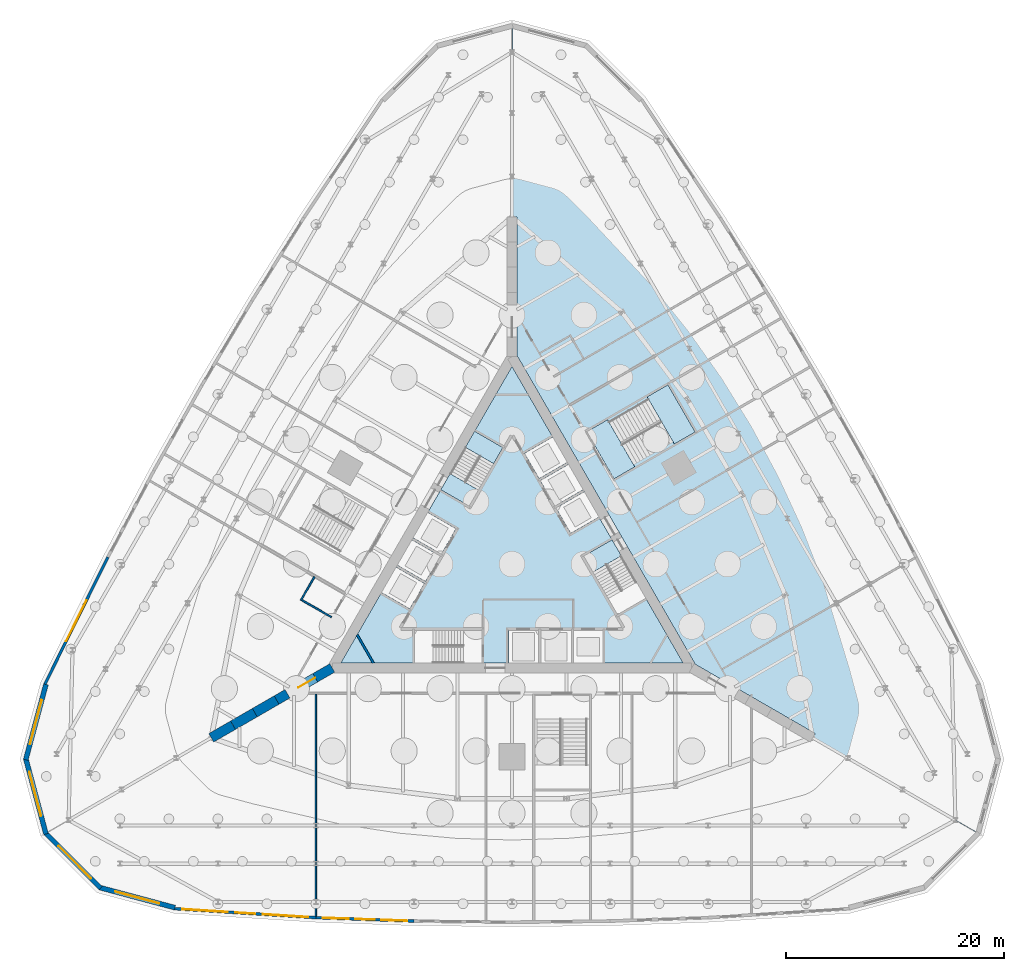
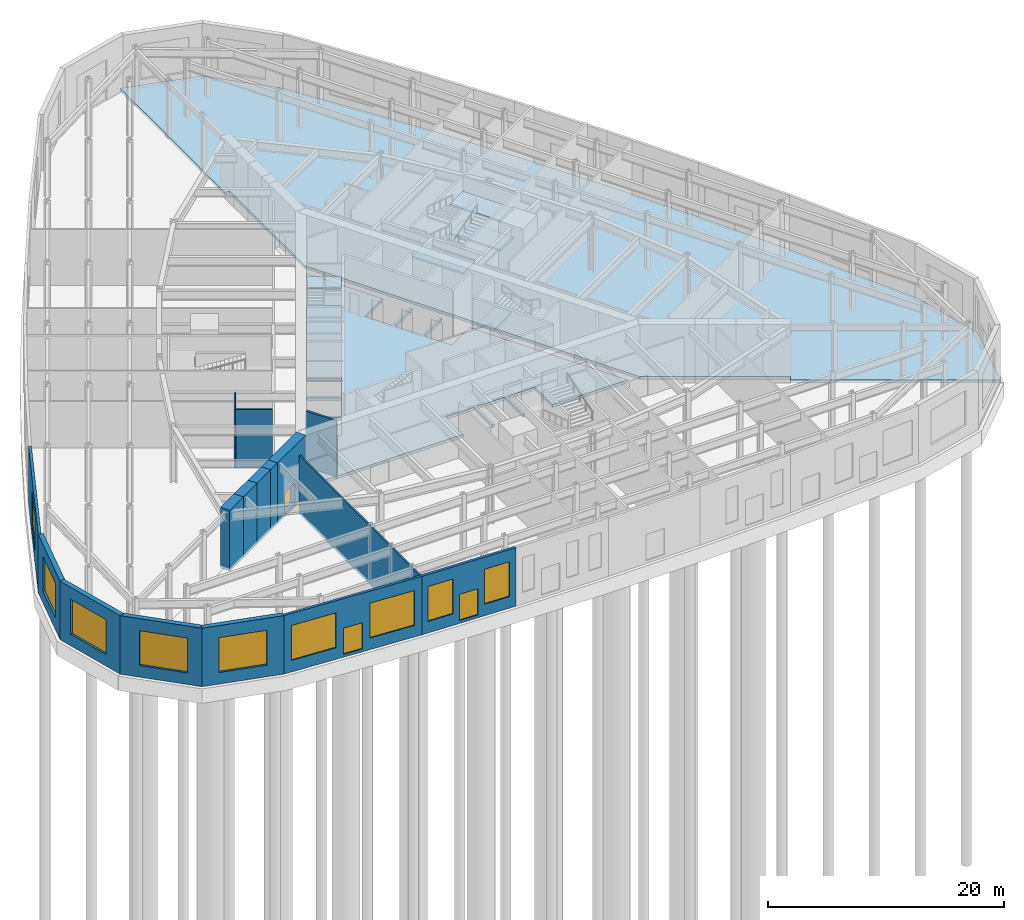
# One storey, part 9 of 17: 16 walls, 9 slabs, 9 windows, 3 doors, 12 openings, 3 elements without a shape of their own.
"""IFC4 building model written with IfcOpenShell, lengths in metres."""

import ifcopenshell
import ifcopenshell.guid

model = None  # the IFC model being written
_history = None  # IfcOwnerHistory: only IFC2X3 demands one
_inside = {}  # id of a spatial element -> (the spatial element, [elements in it])
_under = {}  # id of a project, library or spatial element -> (it, [spatial elements below it])
_declared = {}  # id of a project -> (the project, [libraries it declares])
_typed = {}  # id of a type object -> (the type object, [elements of that type])
_made_of = {}  # id of a material, layer set ... -> (it, [elements and type objects made of it])


def new_model(schema):
    """Start an empty IFC model of exactly this schema.

    Asked for "IFC4X3", IfcOpenShell would pick the latest addendum, in which some entities
    have other attributes; the version numbers below select the first issue.
    IFC2X3 requires an IfcOwnerHistory on every rooted entity: one is made here for all.
    """
    global model, _history
    if schema == "IFC4X3":
        model = ifcopenshell.file(schema_version=(4, 3, 0, 0))
    else:
        model = ifcopenshell.file(schema=schema)
    _inside.clear()
    _under.clear()
    _declared.clear()
    _typed.clear()
    _made_of.clear()
    _history = None
    if model.schema == "IFC2X3":
        org = make("IfcOrganization", Name="unknown")
        user = make(
            "IfcPersonAndOrganization",
            ThePerson=make("IfcPerson", FamilyName="unknown"),
            TheOrganization=org,
        )
        app = make(
            "IfcApplication",
            ApplicationDeveloper=org,
            Version="unknown",
            ApplicationFullName="unknown",
            ApplicationIdentifier="unknown",
        )
        _history = make(
            "IfcOwnerHistory",
            OwningUser=user,
            OwningApplication=app,
            ChangeAction="ADDED",
            CreationDate=0,
        )
    return model


def make(cls, **values):
    """One entity of the class cls with the attributes given. An attribute that is None is left unset."""
    return model.create_entity(
        cls, **{name: value for name, value in values.items() if value is not None}
    )


def rooted(cls, **values):
    """An entity with a GlobalId (a new one), such as an element, a storey or a relation."""
    return make(cls, GlobalId=ifcopenshell.guid.new(), OwnerHistory=_history, **values)


def si_unit(unit_type, name, prefix=None):
    """IfcSIUnit, for example si_unit("LENGTHUNIT", "METRE", prefix="MILLI")."""
    return make("IfcSIUnit", UnitType=unit_type, Prefix=prefix, Name=name)


def assignment(units):
    """IfcUnitAssignment: the units of a project."""
    return None if units is None else make("IfcUnitAssignment", Units=units)


def point(xyz):
    """IfcCartesianPoint."""
    return None if xyz is None else make("IfcCartesianPoint", Coordinates=xyz)


def direction(xyz):
    """IfcDirection."""
    return None if xyz is None else make("IfcDirection", DirectionRatios=xyz)


def frame(location, z_axis=None, x_axis=None):
    """IfcAxis2Placement3D, a coordinate frame: its origin and axes. An axis left out is left unset."""
    return make(
        "IfcAxis2Placement3D",
        Location=point(location),
        Axis=direction(z_axis),
        RefDirection=direction(x_axis),
    )


def frame_2d(location, x_axis=None):
    """IfcAxis2Placement2D, a coordinate frame in the plane: its origin and x axis."""
    return make(
        "IfcAxis2Placement2D", Location=point(location), RefDirection=direction(x_axis)
    )


def origin():
    """The frame at (0, 0, 0) with its axes left unset."""
    return frame((0.0, 0.0, 0.0))


def place(relative_to, where):
    """IfcLocalPlacement: puts the frame where relative to a parent placement (None: the world)."""
    return make(
        "IfcLocalPlacement", PlacementRelTo=relative_to, RelativePlacement=where
    )


def context(
    kind, dimensions, precision=None, world=None, true_north=None, identifier=None
):
    """IfcGeometricRepresentationContext, for example the 3D "Model" context."""
    return make(
        "IfcGeometricRepresentationContext",
        ContextIdentifier=identifier,
        ContextType=kind,
        CoordinateSpaceDimension=dimensions,
        Precision=precision,
        WorldCoordinateSystem=world,
        TrueNorth=true_north,
    )


def subcontext(parent, identifier, kind, view, scale=None):
    """IfcGeometricRepresentationSubContext, for example "Body" below "Model"."""
    return make(
        "IfcGeometricRepresentationSubContext",
        ContextIdentifier=identifier,
        ContextType=kind,
        ParentContext=parent,
        TargetScale=scale,
        TargetView=view,
    )


def project(units=None, contexts=None):
    """IfcProject with its units and contexts."""
    return rooted(
        "IfcProject",
        Name="project",
        RepresentationContexts=contexts,
        UnitsInContext=assignment(units),
    )


def spatial(cls, under=None, at=None, **own):
    """A site, building, storey or space (cls), placed at a placement, below another one or the project."""
    s = rooted(cls, ObjectPlacement=at, **own)
    if under is not None:
        _under.setdefault(under.id(), (under, []))[1].append(s)
    return s


def polyline(points):
    """IfcPolyline through the points."""
    return make("IfcPolyline", Points=[point(p) for p in points])


def profile(cls, at=None, kind="AREA", **sizes):
    """A parametric profile (cls). Its sizes go by their IFC names, for example OverallWidth=200.0."""
    return make(cls, ProfileType=kind, Position=at, **sizes)


def rectangle(**sizes):
    """IfcRectangleProfileDef."""
    return profile("IfcRectangleProfileDef", **sizes)


def outline(outer, holes=None, kind="AREA"):
    """IfcArbitraryClosedProfileDef: a profile drawn as a closed curve; with holes, ...WithVoids."""
    if holes is None:
        return make("IfcArbitraryClosedProfileDef", ProfileType=kind, OuterCurve=outer)
    return make(
        "IfcArbitraryProfileDefWithVoids",
        ProfileType=kind,
        OuterCurve=outer,
        InnerCurves=holes,
    )


def extrude(swept, where, along, depth):
    """IfcExtrudedAreaSolid: the profile swept, set in the frame where, extruded along a direction by depth."""
    return make(
        "IfcExtrudedAreaSolid",
        SweptArea=swept,
        Position=where,
        ExtrudedDirection=direction(along),
        Depth=depth,
    )


def shape(context_of_items, identifier, shape_type, items):
    """IfcShapeRepresentation: the items that make up one representation, for example the "Body"."""
    return make(
        "IfcShapeRepresentation",
        ContextOfItems=context_of_items,
        RepresentationIdentifier=identifier,
        RepresentationType=shape_type,
        Items=items,
    )


def material(Name=None, Category=None):
    """IfcMaterial."""
    return make("IfcMaterial", Name=Name, Category=Category)


def layer(
    of_material, thickness, ventilated=None, Name=None, Category=None, Priority=None
):
    """IfcMaterialLayer: one layer of a wall or slab, of a material (None: an air gap)."""
    return make(
        "IfcMaterialLayer",
        Material=of_material,
        LayerThickness=thickness,
        IsVentilated=ventilated,
        Name=Name,
        Category=Category,
        Priority=Priority,
    )


def layer_set(layers, Name=None):
    """IfcMaterialLayerSet."""
    return make("IfcMaterialLayerSet", MaterialLayers=layers, LayerSetName=Name)


def made_of(thing, what):
    """Note that an element or type object is made of a material, layer set ...; save() writes the relation."""
    if what is not None:
        _made_of.setdefault(what.id(), (what, []))[1].append(thing)
    return thing


def type_object(cls, material=None, **own):
    """A type object (cls), such as IfcWallType, which elements share."""
    return made_of(rooted(cls, **own), material)


def element(
    cls,
    number,
    at=None,
    inside=None,
    cuts=None,
    type_object=None,
    material=None,
    context=None,
    identifier="Body",
    shape_type=None,
    held_by="IfcProductDefinitionShape",
    body=None,
    shapes=None,
    **own,
):
    """One element of the class cls, such as IfcWall. Its Tag is "e" and its number.

    at: its placement. inside: the storey or other place that contains it. cuts: it is an
    opening in that element (IfcRelVoidsElement). A single representation is given by context,
    identifier, shape_type and body (its items); several are given by shapes. held_by: the class
    of the entity that holds the representations. save() writes the other relations.
    """
    e = rooted(cls, Tag="e%d" % number, ObjectPlacement=at, **own)
    if body is not None:
        shapes = [shape(context, identifier, shape_type, body)]
    if shapes is not None:
        e.Representation = make(held_by, Representations=shapes)
    if inside is not None:
        _inside.setdefault(inside.id(), (inside, []))[1].append(e)
    if cuts is not None:
        rooted(
            "IfcRelVoidsElement", RelatingBuildingElement=cuts, RelatedOpeningElement=e
        )
    if type_object is not None:
        _typed.setdefault(type_object.id(), (type_object, []))[1].append(e)
    return made_of(e, material)


def fill(opening, filler):
    """IfcRelFillsElement: the door or window that sits in an opening."""
    return rooted(
        "IfcRelFillsElement",
        RelatingOpeningElement=opening,
        RelatedBuildingElement=filler,
    )


def aggregate(whole, parts):
    """IfcRelAggregates: a whole, such as a stair, and the parts it consists of."""
    return rooted("IfcRelAggregates", RelatingObject=whole, RelatedObjects=parts)


def save(model, path):
    """Write the relations noted so far, then the file.

    IfcRelAggregates (storeys below a building ...), IfcRelContainedInSpatialStructure (elements
    in a storey), IfcRelDefinesByType, IfcRelAssociatesMaterial and IfcRelDeclares: one each for
    every whole, place, type object, material and project.
    """
    for whole, parts in _under.values():
        aggregate(whole, parts)
    for where, things in _inside.values():
        rooted(
            "IfcRelContainedInSpatialStructure",
            RelatedElements=things,
            RelatingStructure=where,
        )
    for kind, things in _typed.values():
        rooted("IfcRelDefinesByType", RelatedObjects=things, RelatingType=kind)
    for what, things in _made_of.values():
        rooted("IfcRelAssociatesMaterial", RelatedObjects=things, RelatingMaterial=what)
    for by, libraries in _declared.values():
        rooted("IfcRelDeclares", RelatingContext=by, RelatedDefinitions=libraries)
    model.write(path)


model = new_model("IFC4")

# Units and contexts
model_context = context("Model", 3, precision=1e-05, world=origin(), true_north=direction((0.0, 1.0)))
body_context = subcontext(model_context, "Body", "Model", "MODEL_VIEW")
ifc_project = project(units=[si_unit("LENGTHUNIT", "METRE"), si_unit("AREAUNIT", "SQUARE_METRE"), si_unit("VOLUMEUNIT", "CUBIC_METRE"), si_unit("PLANEANGLEUNIT", "RADIAN"), si_unit("MASSUNIT", "GRAM", prefix="KILO")], contexts=[model_context])

# Site, building, storey
site_placement = place(None, origin())
site = spatial("IfcSite", under=ifc_project, at=site_placement, CompositionType="ELEMENT")
building_placement = place(site_placement, origin())
building = spatial("IfcBuilding", under=site, at=building_placement, Name="Trikona Tower", CompositionType="ELEMENT")
storey_placement = place(building_placement, origin())
storey = spatial("IfcBuildingStorey", under=building, at=storey_placement, Name="L00", CompositionType="ELEMENT", Elevation=0.0)

# Slabs
ifc_material_1 = material(Name="Concrete f'c 5000 psi", Category="concrete")
ifc_layer_1 = layer(ifc_material_1, 0.300048828125)
ifc_layer_set_1 = layer_set([ifc_layer_1], Name="Ground slab 300")
slab_type_1 = type_object("IfcSlabType", Name="Ground slab 300", PredefinedType="BASESLAB", material=ifc_layer_set_1)
slab_1_placement = place(storey_placement, frame((0.0, 0.0, -0.300048828125)))
element("IfcSlab", 1, at=slab_1_placement, inside=storey, type_object=slab_type_1, Name="Ground slab core", PredefinedType="BASESLAB", context=body_context, shape_type="SweptSolid", body=[
    extrude(outline(polyline([(-15.720703125, -9.076416015625), (-0.340087890625, -9.076416015625), (-0.340087890625, -6.086181640625), (2.43994140625, -6.086181640625), (2.43994140625, -9.076416015625), (2.659912109375, -9.076416015625), (2.659912109375, -6.086181640625), (5.43994140625, -6.086181640625), (5.43994140625, -9.076416015625), (5.659912109375, -9.076416015625), (5.659912109375, -6.086181640625), (8.340087890625, -6.086181640625), (8.340087890625, -9.076416015625), (15.720703125, -9.076416015625), (7.980224609375, 4.330322265625), (5.390869140625, 2.835205078125), (4.05078125, 5.15625), (6.640380859375, 6.651123046875), (6.5302734375, 6.841796875), (3.94091796875, 5.3466796875), (2.600830078125, 7.667724609375), (5.190185546875, 9.16259765625), (5.080322265625, 9.353271484375), (2.490966796875, 7.858154296875), (1.15087890625, 10.17919921875), (3.740234375, 11.67431640625), (0.0, 18.152587890625), (-7.740234375, 4.74609375), (-5.15087890625, 3.2509765625), (-6.490966796875, 0.929931640625), (-9.080322265625, 2.425048828125), (-9.190185546875, 2.234619140625), (-6.600830078125, 0.739501953125), (-7.94091796875, -1.581298828125), (-10.5302734375, -0.08642578125), (-10.640380859375, -0.277099609375), (-8.05078125, -1.77197265625), (-9.390869140625, -4.093017578125), (-11.980224609375, -2.597900390625), (-15.720703125, -9.076416015625)])), origin(), (0.0, 0.0, 1.0), 0.300048828125),
])
slab_2_placement = place(storey_placement, frame((0.0, 0.0, -0.300048828125)))
element("IfcSlab", 2, at=slab_2_placement, inside=storey, type_object=slab_type_1, Name="Ground slab north-east", PredefinedType="BASESLAB", context=body_context, shape_type="SweptSolid", body=[
    extrude(outline(polyline([(6.92822265625, 47.795654296875), (0.0, 49.652099609375), (0.0, 31.881591796875), (0.449951171875, 31.881591796875), (0.449951171875, 19.173095703125), (16.829345703125, -9.197021484375), (27.835205078125, -15.551025390625), (27.6103515625, -15.94091796875), (43.0, -24.826171875), (44.8564453125, -17.89794921875), (43.0, -10.9697265625), (37.2119140625, 0.69970703125), (32.9833984375, 8.650634765625), (28.573974609375, 16.4970703125), (23.9833984375, 24.239013671875), (19.2119140625, 31.876708984375), (12.0, 42.723876953125), (6.92822265625, 47.795654296875)])), origin(), (0.0, 0.0, 1.0), 0.300048828125),
])

# Stair, slab
ifc_material_2 = material(Name="Concrete f'c 5000 psi", Category="concrete")
stair_type_1 = type_object("IfcStairType", Name="Core stair", PredefinedType="HALF_TURN_STAIR", material=ifc_material_2)
stair_1_placement = place(storey_placement, origin())
stair_1 = element("IfcStair", 3, at=stair_1_placement, inside=storey, type_object=stair_type_1, Name="Stair B L00", PredefinedType="HALF_TURN_STAIR")
ifc_material_3 = material(Name="Concrete f'c 5000 psi", Category="concrete")
ifc_layer_2 = layer(ifc_material_3, 0.199951171875)
ifc_layer_set_2 = layer_set([ifc_layer_2], Name="Stair landing 200")
slab_type_2 = type_object("IfcSlabType", Name="Stair landing 200", PredefinedType="LANDING", material=ifc_layer_set_2)
slab_3_placement = place(storey_placement, frame((0.0, 0.0, 2.800048828125)))
slab_3 = element("IfcSlab", 4, at=slab_3_placement, type_object=slab_type_2, Name="ST-B landing 2", PredefinedType="LANDING", context=body_context, shape_type="SweptSolid", body=[
    extrude(outline(polyline([(7.438720703125, -0.731689453125), (6.587158203125, 0.7431640625), (9.185302734375, 2.2431640625), (10.036865234375, 0.768310546875), (7.438720703125, -0.731689453125)])), origin(), (0.0, 0.0, 1.0), 0.199951171875),
])
aggregate(stair_1, [slab_3])

# Stair, slabs
stair_2_placement = place(storey_placement, origin())
stair_2 = element("IfcStair", 5, at=stair_2_placement, inside=storey, type_object=stair_type_1, Name="Stair C L00", PredefinedType="HALF_TURN_STAIR")
slab_4_placement = place(storey_placement, frame((0.0, 0.0, 1.300048828125)))
slab_4 = element("IfcSlab", 6, at=slab_4_placement, type_object=slab_type_2, Name="ST-C landing 1", PredefinedType="LANDING", context=body_context, shape_type="SweptSolid", body=[
    extrude(outline(polyline([(-0.837158203125, 10.702392578125), (-1.688720703125, 9.2275390625), (-4.286865234375, 10.7275390625), (-3.435302734375, 12.202392578125), (-0.837158203125, 10.702392578125)])), origin(), (0.0, 0.0, 1.0), 0.199951171875),
])
slab_5_placement = place(storey_placement, frame((0.0, 0.0, 2.800048828125)))
slab_5 = element("IfcSlab", 7, at=slab_5_placement, type_object=slab_type_2, Name="ST-C landing 2", PredefinedType="LANDING", context=body_context, shape_type="SweptSolid", body=[
    extrude(outline(polyline([(-3.085693359375, 6.807861328125), (-3.937255859375, 5.3330078125), (-6.535400390625, 6.8330078125), (-5.683837890625, 8.307861328125), (-3.085693359375, 6.807861328125)])), origin(), (0.0, 0.0, 1.0), 0.199951171875),
])
slab_6_placement = place(storey_placement, frame((0.0, 0.0, 4.300048828125)))
slab_6 = element("IfcSlab", 8, at=slab_6_placement, type_object=slab_type_2, Name="ST-C landing 3", PredefinedType="LANDING", context=body_context, shape_type="SweptSolid", body=[
    extrude(outline(polyline([(-0.837158203125, 10.702392578125), (-1.688720703125, 9.2275390625), (-4.286865234375, 10.7275390625), (-3.435302734375, 12.202392578125), (-0.837158203125, 10.702392578125)])), origin(), (0.0, 0.0, 1.0), 0.199951171875),
])
aggregate(stair_2, [slab_4, slab_5, slab_6])

ifc_material_4 = material(Name="Concrete f'c 5000 psi", Category="concrete")
stair_type_2 = type_object("IfcStairType", Name="Podium stair", PredefinedType="HALF_TURN_STAIR", material=ifc_material_4)
stair_3_placement = place(storey_placement, origin())
stair_3 = element("IfcStair", 9, at=stair_3_placement, inside=storey, type_object=stair_type_2, Name="Podium stair PS2 L00", PredefinedType="HALF_TURN_STAIR")
slab_7_placement = place(storey_placement, frame((0.0, 0.0, 1.300048828125)))
slab_7 = element("IfcSlab", 10, at=slab_7_placement, type_object=slab_type_2, Name="PS2 landing 1", PredefinedType="LANDING", context=body_context, shape_type="SweptSolid", body=[
    extrude(outline(polyline([(14.905029296875, 11.0302734375), (12.405029296875, 15.3603515625), (14.31298828125, 16.4619140625), (16.81298828125, 12.1318359375), (14.905029296875, 11.0302734375)])), origin(), (0.0, 0.0, 1.0), 0.199951171875),
])
slab_8_placement = place(storey_placement, frame((0.0, 0.0, 2.800048828125)))
slab_8 = element("IfcSlab", 11, at=slab_8_placement, type_object=slab_type_2, Name="PS2 landing 2", PredefinedType="LANDING", context=body_context, shape_type="SweptSolid", body=[
    extrude(outline(polyline([(9.364990234375, 7.831787109375), (6.864990234375, 12.161865234375), (8.77294921875, 13.263427734375), (11.27294921875, 8.933349609375), (9.364990234375, 7.831787109375)])), origin(), (0.0, 0.0, 1.0), 0.199951171875),
])
slab_9_placement = place(storey_placement, frame((0.0, 0.0, 4.300048828125)))
slab_9 = element("IfcSlab", 12, at=slab_9_placement, type_object=slab_type_2, Name="PS2 landing 3", PredefinedType="LANDING", context=body_context, shape_type="SweptSolid", body=[
    extrude(outline(polyline([(14.905029296875, 11.0302734375), (12.405029296875, 15.3603515625), (14.31298828125, 16.4619140625), (16.81298828125, 12.1318359375), (14.905029296875, 11.0302734375)])), origin(), (0.0, 0.0, 1.0), 0.199951171875),
])
aggregate(stair_3, [slab_7, slab_8, slab_9])

# Wall, opening, window
ifc_material_5 = material(Name="Brick-faced precast concrete", Category="masonry")
ifc_layer_3 = layer(ifc_material_5, 0.449951171875)
ifc_layer_set_3 = layer_set([ifc_layer_3], Name="Brick-faced corner wall 450")
wall_type_1 = type_object("IfcWallType", Name="Brick-faced corner wall 450", PredefinedType="SOLIDWALL", material=ifc_layer_set_3)
wall_1_placement = place(storey_placement, frame((-42.78271484375, -11.02783203125, -0.300048828125), z_axis=(0.0, 0.0, 1.0), x_axis=(-0.258823421857, -0.965924653531, 0.0)))
wall_1 = element("IfcWall", 13, at=wall_1_placement, inside=storey, type_object=wall_type_1, Name="External wall L00-26", PredefinedType="SOLIDWALL", context=body_context, shape_type="SweptSolid", body=[
    extrude(rectangle(XDim=7.172607421875, YDim=0.449951171875, at=frame_2d((3.58642578125, 0.0))), origin(), (0.0, 0.0, 1.0), 6.050048828125),
])
opening_1_placement = place(wall_1_placement, frame((1.486328125, 0.0, 1.199951171875)))
opening_1 = element("IfcOpeningElement", 14, at=opening_1_placement, cuts=wall_1, Name="Opening W4236", PredefinedType="OPENING", context=body_context, shape_type="SweptSolid", body=[
    extrude(rectangle(XDim=4.199951171875, YDim=3.60009765625, at=frame_2d((2.10009765625, 1.800048828125))), frame((0.0, 0.23486328125, 0.0), z_axis=(0.0, -1.0, 0.0), x_axis=(1.0, 0.0, 0.0)), (0.0, 0.0, 1.0), 0.469970703125),
])
ifc_material_6 = material(Name="Aluminium-framed double glazing", Category="aluminium")
window_type_1 = type_object("IfcWindowType", Name="Window 4200x3600", PartitioningType="SINGLE_PANEL", PredefinedType="WINDOW", material=ifc_material_6)
window_1_placement = place(opening_1_placement, origin())
window_1 = element("IfcWindow", 15, at=window_1_placement, inside=storey, type_object=window_type_1, Name="Window L00-REF", OverallHeight=3.60009765625, OverallWidth=4.199951171875, PartitioningType="SINGLE_PANEL", PredefinedType="WINDOW", context=body_context, shape_type="SweptSolid", body=[
    extrude(rectangle(XDim=4.199951171875, YDim=3.60009765625, at=frame_2d((2.10009765625, 1.800048828125))), frame((0.0, 0.030029296875, 0.0), z_axis=(0.0, -1.0, 0.0), x_axis=(1.0, 0.0, 0.0)), (0.0, 0.0, 1.0), 0.06005859375),
])
fill(opening_1, window_1)

wall_2_placement = place(storey_placement, frame((-44.63916015625, -17.839599609375, -0.300048828125), z_axis=(0.0, 0.0, 1.0), x_axis=(0.258823421857, -0.965924653531, 0.0)))
wall_2 = element("IfcWall", 16, at=wall_2_placement, inside=storey, type_object=wall_type_1, Name="External wall L00-27", PredefinedType="SOLIDWALL", context=body_context, shape_type="SweptSolid", body=[
    extrude(rectangle(XDim=7.172607421875, YDim=0.449951171875, at=frame_2d((3.58642578125, 0.0))), origin(), (0.0, 0.0, 1.0), 6.050048828125),
])
opening_2_placement = place(wall_2_placement, frame((1.267578125, 0.0, 1.199951171875)))
opening_2 = element("IfcOpeningElement", 17, at=opening_2_placement, cuts=wall_2, Name="Opening W4236", PredefinedType="OPENING", context=body_context, shape_type="SweptSolid", body=[
    extrude(rectangle(XDim=4.199951171875, YDim=3.60009765625, at=frame_2d((2.10009765625, 1.800048828125))), frame((0.0, 0.23486328125, 0.0), z_axis=(0.0, -1.0, 0.0), x_axis=(1.0, 0.0, 0.0)), (0.0, 0.0, 1.0), 0.469970703125),
])
window_2_placement = place(opening_2_placement, origin())
window_2 = element("IfcWindow", 18, at=window_2_placement, inside=storey, type_object=window_type_1, Name="Window L00-REF", OverallHeight=3.60009765625, OverallWidth=4.199951171875, PartitioningType="SINGLE_PANEL", PredefinedType="WINDOW", context=body_context, shape_type="SweptSolid", body=[
    extrude(rectangle(XDim=4.199951171875, YDim=3.60009765625, at=frame_2d((2.10009765625, 1.800048828125))), frame((0.0, 0.030029296875, 0.0), z_axis=(0.0, -1.0, 0.0), x_axis=(1.0, 0.0, 0.0)), (0.0, 0.0, 1.0), 0.06005859375),
])
fill(opening_2, window_2)

wall_3_placement = place(storey_placement, frame((-42.8408203125, -24.6669921875, -0.300048828125), z_axis=(0.0, 0.0, 1.0), x_axis=(0.707106781187, -0.707106781187, 0.0)))
wall_3 = element("IfcWall", 19, at=wall_3_placement, inside=storey, type_object=wall_type_1, Name="External wall L00-28", PredefinedType="SOLIDWALL", context=body_context, shape_type="SweptSolid", body=[
    extrude(rectangle(XDim=7.172607421875, YDim=0.449951171875, at=frame_2d((3.58642578125, 0.0))), origin(), (0.0, 0.0, 1.0), 6.050048828125),
])
opening_3_placement = place(wall_3_placement, frame((1.70458984375, 0.0, 1.199951171875)))
opening_3 = element("IfcOpeningElement", 20, at=opening_3_placement, cuts=wall_3, Name="Opening W4236", PredefinedType="OPENING", context=body_context, shape_type="SweptSolid", body=[
    extrude(rectangle(XDim=4.199951171875, YDim=3.60009765625, at=frame_2d((2.10009765625, 1.800048828125))), frame((0.0, 0.23486328125, 0.0), z_axis=(0.0, -1.0, 0.0), x_axis=(1.0, 0.0, 0.0)), (0.0, 0.0, 1.0), 0.469970703125),
])
window_3_placement = place(opening_3_placement, origin())
window_3 = element("IfcWindow", 21, at=window_3_placement, inside=storey, type_object=window_type_1, Name="Window L00-RU1", OverallHeight=3.60009765625, OverallWidth=4.199951171875, PartitioningType="SINGLE_PANEL", PredefinedType="WINDOW", context=body_context, shape_type="SweptSolid", body=[
    extrude(rectangle(XDim=4.199951171875, YDim=3.60009765625, at=frame_2d((2.10009765625, 1.800048828125))), frame((0.0, 0.030029296875, 0.0), z_axis=(0.0, -1.0, 0.0), x_axis=(1.0, 0.0, 0.0)), (0.0, 0.0, 1.0), 0.06005859375),
])
fill(opening_3, window_3)

wall_4_placement = place(storey_placement, frame((-37.8701171875, -29.6806640625, -0.300048828125), z_axis=(0.0, 0.0, 1.0), x_axis=(0.965924653531, -0.258823421857, 0.0)))
wall_4 = element("IfcWall", 22, at=wall_4_placement, inside=storey, type_object=wall_type_1, Name="External wall L00-29", PredefinedType="SOLIDWALL", context=body_context, shape_type="SweptSolid", body=[
    extrude(rectangle(XDim=7.172607421875, YDim=0.449951171875, at=frame_2d((3.58642578125, 0.0))), origin(), (0.0, 0.0, 1.0), 6.050048828125),
])
opening_4_placement = place(wall_4_placement, frame((1.486328125, 0.0, 1.199951171875)))
opening_4 = element("IfcOpeningElement", 23, at=opening_4_placement, cuts=wall_4, Name="Opening W4236", PredefinedType="OPENING", context=body_context, shape_type="SweptSolid", body=[
    extrude(rectangle(XDim=4.199951171875, YDim=3.60009765625, at=frame_2d((2.10009765625, 1.800048828125))), frame((0.0, 0.23486328125, 0.0), z_axis=(0.0, -1.0, 0.0), x_axis=(1.0, 0.0, 0.0)), (0.0, 0.0, 1.0), 0.469970703125),
])
window_4_placement = place(opening_4_placement, origin())
window_4 = element("IfcWindow", 24, at=window_4_placement, inside=storey, type_object=window_type_1, Name="Window L00-RU1", OverallHeight=3.60009765625, OverallWidth=4.199951171875, PartitioningType="SINGLE_PANEL", PredefinedType="WINDOW", context=body_context, shape_type="SweptSolid", body=[
    extrude(rectangle(XDim=4.199951171875, YDim=3.60009765625, at=frame_2d((2.10009765625, 1.800048828125))), frame((0.0, 0.030029296875, 0.0), z_axis=(0.0, -1.0, 0.0), x_axis=(1.0, 0.0, 0.0)), (0.0, 0.0, 1.0), 0.06005859375),
])
fill(opening_4, window_4)

# Wall, opening, door
ifc_material_7 = material(Name="Concrete f'c 10000 psi", Category="concrete")
ifc_layer_4 = layer(ifc_material_7, 0.89990234375)
ifc_layer_set_4 = layer_set([ifc_layer_4], Name="Buttress wall 900")
wall_type_2 = type_object("IfcWallType", Name="Buttress wall 900", PredefinedType="SHEAR", material=ifc_layer_set_4)
wall_5_placement = place(storey_placement, frame((-16.5, -9.5263671875, -0.300048828125), z_axis=(0.0, 0.0, 1.0), x_axis=(-0.866031398331, -0.499989616998, 0.0)))
wall_5 = element("IfcWall", 25, at=wall_5_placement, inside=storey, type_object=wall_type_2, Name="Buttress wall 3", PredefinedType="SHEAR", context=body_context, shape_type="SweptSolid", body=[
    extrude(rectangle(XDim=4.74609375, YDim=0.89990234375, at=frame_2d((2.373046875, 0.0))), origin(), (0.0, 0.0, 1.0), 6.300048828125),
])
opening_5_placement = place(wall_5_placement, frame((1.800048828125, 0.0, 0.300048828125)))
opening_5 = element("IfcOpeningElement", 26, at=opening_5_placement, cuts=wall_5, Name="Opening D10", PredefinedType="OPENING", context=body_context, shape_type="SweptSolid", body=[
    extrude(rectangle(XDim=1.800048828125, YDim=2.1298828125, at=frame_2d((0.89990234375, 1.06494140625))), frame((0.0, 0.4599609375, 0.0), z_axis=(0.0, -1.0, 0.0), x_axis=(1.0, 0.0, 0.0)), (0.0, 0.0, 1.0), 0.919921875),
])
ifc_material_8 = material(Name="Hollow metal door and frame", Category="steel")
door_type_1 = type_object("IfcDoorType", Name="Cross-corridor door pair 1800x2130", OperationType="DOUBLE_DOOR_DOUBLE_SWING", PredefinedType="DOOR", material=ifc_material_8)
door_1_placement = place(opening_5_placement, origin())
door_1 = element("IfcDoor", 27, at=door_1_placement, inside=storey, type_object=door_type_1, Name="Cross-corridor door 3", OperationType="DOUBLE_DOOR_DOUBLE_SWING", OverallHeight=2.1298828125, OverallWidth=1.800048828125, PredefinedType="DOOR", context=body_context, shape_type="SweptSolid", body=[
    extrude(rectangle(XDim=1.800048828125, YDim=2.1298828125, at=frame_2d((0.89990234375, 1.06494140625))), frame((0.0, 0.02490234375, 0.0), z_axis=(0.0, -1.0, 0.0), x_axis=(1.0, 0.0, 0.0)), (0.0, 0.0, 1.0), 0.050048828125),
])
fill(opening_5, door_1)

# Walls
wall_6_placement = place(storey_placement, frame((-20.6103515625, -11.8994140625, -0.300048828125), z_axis=(0.0, 0.0, 1.0), x_axis=(-0.866009537788, -0.500027479704, 0.0)))
element("IfcWall", 28, at=wall_6_placement, inside=storey, type_object=wall_type_2, Name="Buttress wall 3 part 2", PredefinedType="SHEAR", context=body_context, shape_type="SweptSolid", body=[
    extrude(rectangle(XDim=1.15478515625, YDim=0.89990234375, at=frame_2d((0.577392578125, 0.0))), origin(), (0.0, 0.0, 1.0), 6.300048828125),
])
for number, where, z_axis, x_axis, name in (
    (29, (-21.6103515625, -12.476806640625, -0.300048828125), (0.0, 0.0, 1.0), (-0.866055313784, -0.499948190782, 0.0), "Buttress wall 3 part 3"),
    (30, (-23.6103515625, -13.63134765625, -0.300048828125), (0.0, 0.0, 1.0), (-0.866009537788, -0.500027479704, 0.0), "Buttress wall 3 part 4"),
    (31, (-25.6103515625, -14.7861328125, -0.300048828125), (0.0, 0.0, 1.0), (-0.866009537788, -0.500027479704, 0.0), "Buttress wall 3 part 5"),
):
    element("IfcWall", number, at=place(storey_placement, frame(where, z_axis=z_axis, x_axis=x_axis)), inside=storey, type_object=wall_type_2, Name=name, PredefinedType="SHEAR", context=body_context, shape_type="SweptSolid", body=[
        extrude(rectangle(XDim=2.309326171875, YDim=0.89990234375, at=frame_2d((1.15478515625, 0.0))), origin(), (0.0, 0.0, 1.0), 6.300048828125),
    ])

# Wall, openings, door, windows
ifc_material_9 = material(Name="Insulated precast concrete spandrel panel", Category="concrete")
ifc_layer_5 = layer(ifc_material_9, 0.25)
ifc_layer_set_5 = layer_set([ifc_layer_5], Name="Inner skin wall 250")
wall_type_3 = type_object("IfcWallType", Name="Inner skin wall 250", PredefinedType="STANDARD", material=ifc_layer_set_5)
wall_7_placement = place(storey_placement, frame((-30.9921875, -31.62939453125, -0.300048828125), z_axis=(0.0, 0.0, 1.0), x_axis=(0.998006805525, -0.063106387361, 0.0)))
wall_7 = element("IfcWall", 32, at=wall_7_placement, inside=storey, type_object=wall_type_3, Name="External wall L00-00", PredefinedType="STANDARD", context=body_context, shape_type="SweptSolid", body=[
    extrude(rectangle(XDim=13.02587890625, YDim=0.25, at=frame_2d((6.512939453125, 0.0))), origin(), (0.0, 0.0, 1.0), 6.050048828125),
])
opening_6_placement = place(wall_7_placement, frame((5.613037109375, 0.0, 0.300048828125)))
opening_6 = element("IfcOpeningElement", 33, at=opening_6_placement, cuts=wall_7, Name="Opening D7", PredefinedType="OPENING", context=body_context, shape_type="SweptSolid", body=[
    extrude(rectangle(XDim=1.800048828125, YDim=2.699951171875, at=frame_2d((0.89990234375, 1.35009765625))), frame((0.0, 0.135009765625, 0.0), z_axis=(0.0, -1.0, 0.0), x_axis=(1.0, 0.0, 0.0)), (0.0, 0.0, 1.0), 0.27001953125),
])
opening_7_placement = place(wall_7_placement, frame((0.70654296875, 0.0, 1.199951171875)))
opening_7 = element("IfcOpeningElement", 34, at=opening_7_placement, cuts=wall_7, Name="Opening W4236", PredefinedType="OPENING", context=body_context, shape_type="SweptSolid", body=[
    extrude(rectangle(XDim=4.199951171875, YDim=3.60009765625, at=frame_2d((2.10009765625, 1.800048828125))), frame((0.0, 0.135009765625, 0.0), z_axis=(0.0, -1.0, 0.0), x_axis=(1.0, 0.0, 0.0)), (0.0, 0.0, 1.0), 0.27001953125),
])
opening_8_placement = place(wall_7_placement, frame((8.119384765625, 0.0, 1.199951171875)))
opening_8 = element("IfcOpeningElement", 35, at=opening_8_placement, cuts=wall_7, Name="Opening W4236", PredefinedType="OPENING", context=body_context, shape_type="SweptSolid", body=[
    extrude(rectangle(XDim=4.199951171875, YDim=3.60009765625, at=frame_2d((2.10009765625, 1.800048828125))), frame((0.0, 0.135009765625, 0.0), z_axis=(0.0, -1.0, 0.0), x_axis=(1.0, 0.0, 0.0)), (0.0, 0.0, 1.0), 0.27001953125),
])
ifc_material_10 = material(Name="Aluminium-framed glazed door", Category="aluminium")
door_type_2 = type_object("IfcDoorType", Name="Entrance door pair 1800x2700", OperationType="DOUBLE_DOOR_SINGLE_SWING", PredefinedType="DOOR", material=ifc_material_10)
door_2_placement = place(opening_6_placement, origin())
door_2 = element("IfcDoor", 36, at=door_2_placement, inside=storey, type_object=door_type_2, Name="Exit door Retail unit 1", OperationType="DOUBLE_DOOR_SINGLE_SWING", OverallHeight=2.699951171875, OverallWidth=1.800048828125, PredefinedType="DOOR", context=body_context, shape_type="SweptSolid", body=[
    extrude(rectangle(XDim=1.800048828125, YDim=2.699951171875, at=frame_2d((0.89990234375, 1.35009765625))), frame((0.0, 0.02490234375, 0.0), z_axis=(0.0, -1.0, 0.0), x_axis=(1.0, 0.0, 0.0)), (0.0, 0.0, 1.0), 0.050048828125),
])
fill(opening_6, door_2)
window_5_placement = place(opening_7_placement, origin())
window_5 = element("IfcWindow", 37, at=window_5_placement, inside=storey, type_object=window_type_1, Name="Window L00-RU1", OverallHeight=3.60009765625, OverallWidth=4.199951171875, PartitioningType="SINGLE_PANEL", PredefinedType="WINDOW", context=body_context, shape_type="SweptSolid", body=[
    extrude(rectangle(XDim=4.199951171875, YDim=3.60009765625, at=frame_2d((2.10009765625, 1.800048828125))), frame((0.0, 0.030029296875, 0.0), z_axis=(0.0, -1.0, 0.0), x_axis=(1.0, 0.0, 0.0)), (0.0, 0.0, 1.0), 0.06005859375),
])
fill(opening_7, window_5)
window_6_placement = place(opening_8_placement, origin())
window_6 = element("IfcWindow", 38, at=window_6_placement, inside=storey, type_object=window_type_1, Name="Window L00-RU1", OverallHeight=3.60009765625, OverallWidth=4.199951171875, PartitioningType="SINGLE_PANEL", PredefinedType="WINDOW", context=body_context, shape_type="SweptSolid", body=[
    extrude(rectangle(XDim=4.199951171875, YDim=3.60009765625, at=frame_2d((2.10009765625, 1.800048828125))), frame((0.0, 0.030029296875, 0.0), z_axis=(0.0, -1.0, 0.0), x_axis=(1.0, 0.0, 0.0)), (0.0, 0.0, 1.0), 0.06005859375),
])
fill(opening_8, window_6)

wall_8_placement = place(storey_placement, frame((-17.99560546875, -32.451416015625, -0.300048828125), z_axis=(0.0, 0.0, 1.0), x_axis=(0.999393961522, -0.034809620405, 0.0)))
wall_8 = element("IfcWall", 39, at=wall_8_placement, inside=storey, type_object=wall_type_3, Name="External wall L00-01", PredefinedType="STANDARD", context=body_context, shape_type="SweptSolid", body=[
    extrude(rectangle(XDim=9.00537109375, YDim=0.25, at=frame_2d((4.502685546875, 0.0))), origin(), (0.0, 0.0, 1.0), 6.050048828125),
])
opening_9_placement = place(wall_8_placement, frame((3.602783203125, 0.0, 0.300048828125)))
opening_9 = element("IfcOpeningElement", 40, at=opening_9_placement, cuts=wall_8, Name="Opening D7", PredefinedType="OPENING", context=body_context, shape_type="SweptSolid", body=[
    extrude(rectangle(XDim=1.800048828125, YDim=2.699951171875, at=frame_2d((0.89990234375, 1.35009765625))), frame((0.0, 0.135009765625, 0.0), z_axis=(0.0, -1.0, 0.0), x_axis=(1.0, 0.0, 0.0)), (0.0, 0.0, 1.0), 0.27001953125),
])
opening_10_placement = place(wall_8_placement, frame((0.601318359375, 0.0, 1.199951171875)))
opening_10 = element("IfcOpeningElement", 41, at=opening_10_placement, cuts=wall_8, Name="Opening W2436", PredefinedType="OPENING", context=body_context, shape_type="SweptSolid", body=[
    extrude(rectangle(XDim=2.39990234375, YDim=3.60009765625, at=frame_2d((1.199951171875, 1.800048828125))), frame((0.0, 0.135009765625, 0.0), z_axis=(0.0, -1.0, 0.0), x_axis=(1.0, 0.0, 0.0)), (0.0, 0.0, 1.0), 0.27001953125),
])
opening_11_placement = place(wall_8_placement, frame((6.004150390625, 0.0, 1.199951171875)))
opening_11 = element("IfcOpeningElement", 42, at=opening_11_placement, cuts=wall_8, Name="Opening W2436", PredefinedType="OPENING", context=body_context, shape_type="SweptSolid", body=[
    extrude(rectangle(XDim=2.39990234375, YDim=3.60009765625, at=frame_2d((1.199951171875, 1.800048828125))), frame((0.0, 0.135009765625, 0.0), z_axis=(0.0, -1.0, 0.0), x_axis=(1.0, 0.0, 0.0)), (0.0, 0.0, 1.0), 0.27001953125),
])
door_3_placement = place(opening_9_placement, origin())
door_3 = element("IfcDoor", 43, at=door_3_placement, inside=storey, type_object=door_type_2, Name="Exit door Hotel lobby", OperationType="DOUBLE_DOOR_SINGLE_SWING", OverallHeight=2.699951171875, OverallWidth=1.800048828125, PredefinedType="DOOR", context=body_context, shape_type="SweptSolid", body=[
    extrude(rectangle(XDim=1.800048828125, YDim=2.699951171875, at=frame_2d((0.89990234375, 1.35009765625))), frame((0.0, 0.02490234375, 0.0), z_axis=(0.0, -1.0, 0.0), x_axis=(1.0, 0.0, 0.0)), (0.0, 0.0, 1.0), 0.050048828125),
])
fill(opening_9, door_3)
ifc_material_11 = material(Name="Aluminium-framed double glazing", Category="aluminium")
window_type_2 = type_object("IfcWindowType", Name="Window 2400x3600", PartitioningType="SINGLE_PANEL", PredefinedType="WINDOW", material=ifc_material_11)
window_7_placement = place(opening_10_placement, origin())
window_7 = element("IfcWindow", 44, at=window_7_placement, inside=storey, type_object=window_type_2, Name="Window L00-LBY", OverallHeight=3.60009765625, OverallWidth=2.39990234375, PartitioningType="SINGLE_PANEL", PredefinedType="WINDOW", context=body_context, shape_type="SweptSolid", body=[
    extrude(rectangle(XDim=2.39990234375, YDim=3.60009765625, at=frame_2d((1.199951171875, 1.800048828125))), frame((0.0, 0.030029296875, 0.0), z_axis=(0.0, -1.0, 0.0), x_axis=(1.0, 0.0, 0.0)), (0.0, 0.0, 1.0), 0.06005859375),
])
fill(opening_10, window_7)
window_8_placement = place(opening_11_placement, origin())
window_8 = element("IfcWindow", 45, at=window_8_placement, inside=storey, type_object=window_type_2, Name="Window L00-LBY", OverallHeight=3.60009765625, OverallWidth=2.39990234375, PartitioningType="SINGLE_PANEL", PredefinedType="WINDOW", context=body_context, shape_type="SweptSolid", body=[
    extrude(rectangle(XDim=2.39990234375, YDim=3.60009765625, at=frame_2d((1.199951171875, 1.800048828125))), frame((0.0, 0.030029296875, 0.0), z_axis=(0.0, -1.0, 0.0), x_axis=(1.0, 0.0, 0.0)), (0.0, 0.0, 1.0), 0.06005859375),
])
fill(opening_11, window_8)

# Wall, opening, window
wall_9_placement = place(storey_placement, frame((-37.099853515625, 0.64404296875, -0.300048828125), z_axis=(0.0, 0.0, 1.0), x_axis=(-0.444354908353, -0.895850833243, 0.0)))
wall_9 = element("IfcWall", 46, at=wall_9_placement, inside=storey, type_object=wall_type_3, Name="External wall L00-25", PredefinedType="STANDARD", context=body_context, shape_type="SweptSolid", body=[
    extrude(rectangle(XDim=13.02587890625, YDim=0.25, at=frame_2d((6.512939453125, 0.0))), origin(), (0.0, 0.0, 1.0), 6.050048828125),
])
opening_12_placement = place(wall_9_placement, frame((4.4130859375, 0.0, 1.199951171875)))
opening_12 = element("IfcOpeningElement", 47, at=opening_12_placement, cuts=wall_9, Name="Opening W4236", PredefinedType="OPENING", context=body_context, shape_type="SweptSolid", body=[
    extrude(rectangle(XDim=4.199951171875, YDim=3.60009765625, at=frame_2d((2.10009765625, 1.800048828125))), frame((0.0, 0.135009765625, 0.0), z_axis=(0.0, -1.0, 0.0), x_axis=(1.0, 0.0, 0.0)), (0.0, 0.0, 1.0), 0.27001953125),
])
window_9_placement = place(opening_12_placement, origin())
window_9 = element("IfcWindow", 48, at=window_9_placement, inside=storey, type_object=window_type_1, Name="Window L00-REF", OverallHeight=3.60009765625, OverallWidth=4.199951171875, PartitioningType="SINGLE_PANEL", PredefinedType="WINDOW", context=body_context, shape_type="SweptSolid", body=[
    extrude(rectangle(XDim=4.199951171875, YDim=3.60009765625, at=frame_2d((2.10009765625, 1.800048828125))), frame((0.0, 0.030029296875, 0.0), z_axis=(0.0, -1.0, 0.0), x_axis=(1.0, 0.0, 0.0)), (0.0, 0.0, 1.0), 0.06005859375),
])
fill(opening_12, window_9)

# Walls
ifc_material_12 = material(Name="Metal stud and gypsum board, 1-hour acoustic", Category="gypsum")
ifc_layer_6 = layer(ifc_material_12, 0.14990234375)
ifc_layer_set_6 = layer_set([ifc_layer_6], Name="Party wall 150")
wall_type_4 = type_object("IfcWallType", Name="Party wall 150", PredefinedType="PARTITIONING", material=ifc_layer_set_6)
wall_10_placement = place(storey_placement, frame((-18.0, -11.92626953125, -0.300048828125), z_axis=(0.0, 0.0, 1.0), x_axis=(0.0, -1.0, 0.0)))
element("IfcWall", 49, at=wall_10_placement, inside=storey, type_object=wall_type_4, Name="Partition L00 F1 u-18", PredefinedType="PARTITIONING", context=body_context, shape_type="SweptSolid", body=[
    extrude(rectangle(XDim=20.3994140625, YDim=0.14990234375, at=frame_2d((10.19970703125, 0.0))), origin(), (0.0, 0.0, 1.0), 6.050048828125),
])
wall_11_placement = place(storey_placement, frame((-18.13720703125, -1.162109375, -0.300048828125), z_axis=(0.0, 0.0, 1.0), x_axis=(-0.500004234368, -0.866022959057, 0.0)))
element("IfcWall", 50, at=wall_11_placement, inside=storey, type_object=wall_type_4, Name="Partition L00 F3 u10 back", PredefinedType="PARTITIONING", context=body_context, shape_type="SweptSolid", body=[
    extrude(rectangle(XDim=2.5, YDim=0.14990234375, at=frame_2d((1.25, 0.0))), origin(), (0.0, 0.0, 1.0), 6.050048828125),
])
wall_12_placement = place(storey_placement, frame((-16.57861328125, -4.8623046875, -0.300048828125), z_axis=(0.0, 0.0, 1.0), x_axis=(-0.866022959057, 0.500004234368, 0.0)))
element("IfcWall", 51, at=wall_12_placement, inside=storey, type_object=wall_type_4, Name="Partition L00 F3 u12.5", PredefinedType="PARTITIONING", context=body_context, shape_type="SweptSolid", body=[
    extrude(rectangle(XDim=3.125, YDim=0.14990234375, at=frame_2d((1.5625, 0.0))), origin(), (0.0, 0.0, 1.0), 6.050048828125),
])
ifc_material_13 = material(Name="Concrete f'c 8000 psi", Category="concrete")
ifc_layer_7 = layer(ifc_material_13, 0.199951171875)
ifc_layer_set_7 = layer_set([ifc_layer_7], Name="Shaft wall 200")
wall_type_5 = type_object("IfcWallType", Name="Shaft wall 200", PredefinedType="SOLIDWALL", material=ifc_layer_set_7)
wall_13_placement = place(storey_placement, frame((-12.718505859375, -9.076416015625, -0.300048828125), z_axis=(0.0, 0.0, 1.0), x_axis=(-0.499952404951, 0.866052881055, 0.0)))
element("IfcWall", 52, at=wall_13_placement, inside=storey, type_object=wall_type_5, Name="Riser wall L00-RS3", PredefinedType="SOLIDWALL", context=body_context, shape_type="SweptSolid", body=[
    extrude(rectangle(XDim=3.002197265625, YDim=0.199951171875, at=frame_2d((1.5009765625, 0.0))), origin(), (0.0, 0.0, 1.0), 6.050048828125),
])

save(model, "model.ifc")
